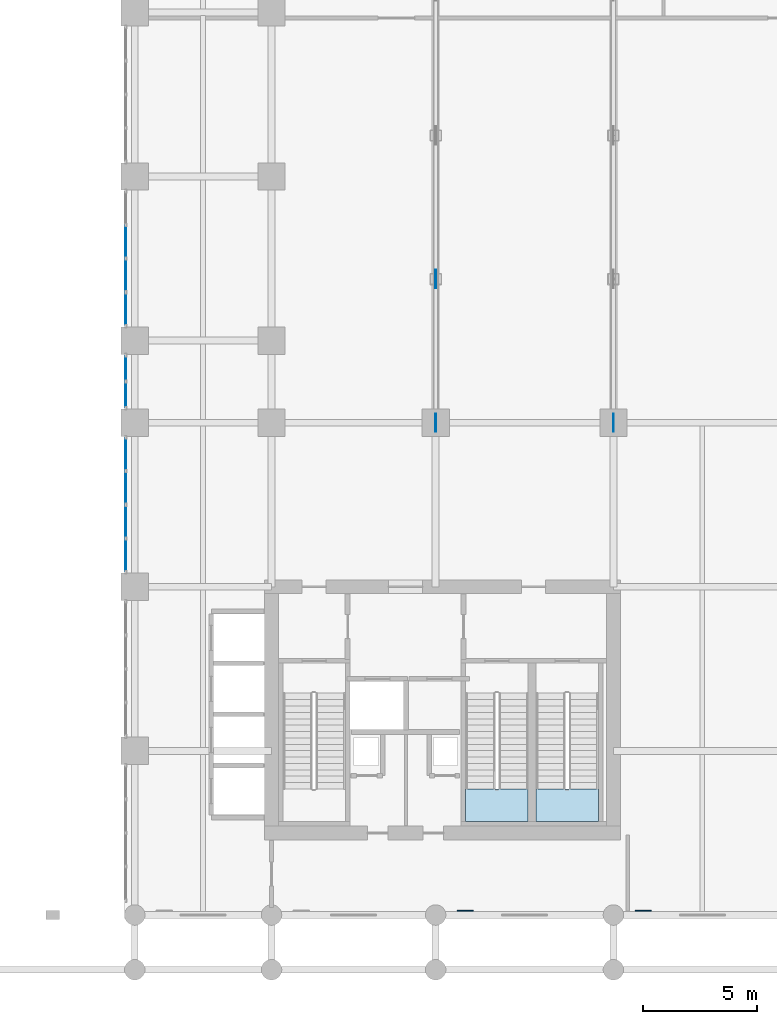
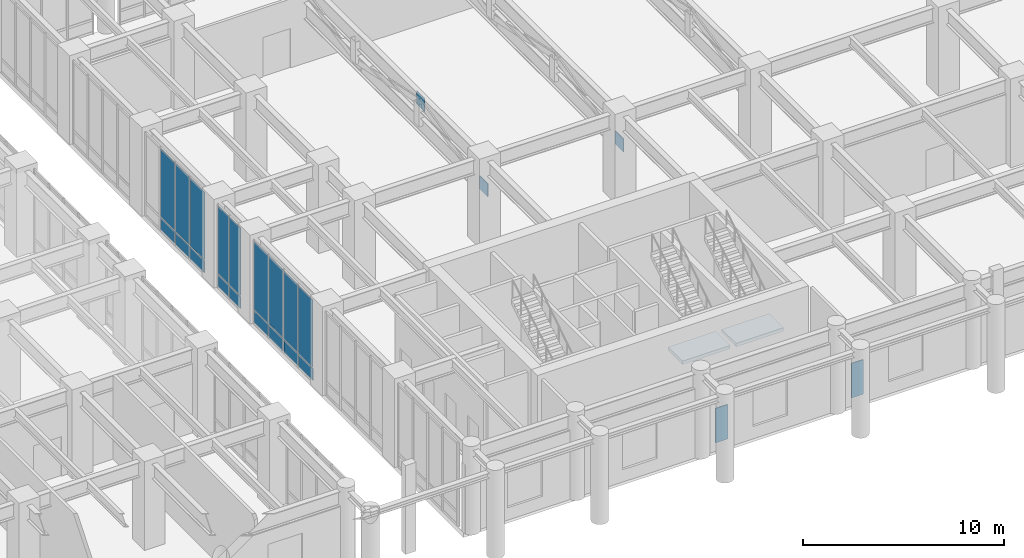
# One storey, part 12 of 24: 23 plates, 2 slabs, 5 elements without a shape of their own.
"""IFC4 building model written with IfcOpenShell, lengths in metres."""

from ifc_helpers import new_model, si_unit, derived_unit, direction, frame, origin, origin_2d, place, context, subcontext, project, spatial, polyline, rectangle, outline, extrude, source, transform, mapped, material, layer, layer_set, type_object, type_shapes, element, aggregate, save


model = new_model("IFC4")

# Units and contexts
model_context = context("Model", 3, precision=1e-05, world=origin(), true_north=direction((0.0, 1.0)))
body_context = subcontext(model_context, "Body", "Model", "MODEL_VIEW")
ifc_project = project(units=[si_unit("LENGTHUNIT", "METRE"), si_unit("AREAUNIT", "SQUARE_METRE"), si_unit("VOLUMEUNIT", "CUBIC_METRE"), si_unit("PLANEANGLEUNIT", "RADIAN"), si_unit("MASSUNIT", "GRAM", prefix="KILO"), si_unit("THERMODYNAMICTEMPERATUREUNIT", "KELVIN"), si_unit("POWERUNIT", "WATT"), derived_unit("THERMALTRANSMITTANCEUNIT", [(si_unit("POWERUNIT", "WATT"), 1), (si_unit("AREAUNIT", "SQUARE_METRE"), -1), (si_unit("THERMODYNAMICTEMPERATUREUNIT", "KELVIN"), -1)])], contexts=[model_context])

# Site, building, storey
site_placement = place(None, origin())
site = spatial("IfcSite", under=ifc_project, at=site_placement, CompositionType="ELEMENT")
building_placement = place(site_placement, origin())
building = spatial("IfcBuilding", under=site, at=building_placement, Name="Zahravan Archway Hotel and Residences", CompositionType="ELEMENT")
storey_placement = place(building_placement, frame((0.0, 0.0, 10.800048828125)))
storey = spatial("IfcBuildingStorey", under=building, at=storey_placement, Name="L02", CompositionType="ELEMENT", Elevation=10.800048828125)

# Stair, slab
ifc_material_1 = material(Name="Concrete C50/60", Category="concrete")
stair_type = type_object("IfcStairType", Name="STR-CORE-1300", PredefinedType="HALF_TURN_STAIR", material=ifc_material_1)
stair_1_placement = place(storey_placement, origin())
stair_1 = element("IfcStair", 1, at=stair_1_placement, inside=storey, type_object=stair_type, Name="L02 Core A Exit Stair 2", PredefinedType="HALF_TURN_STAIR")
ifc_layer_1 = layer(ifc_material_1, 0.199951171875, Name="Concrete C50/60", Category="concrete")
ifc_layer_set_1 = layer_set([ifc_layer_1], Name="Concrete C50/60")
slab_type = type_object("IfcSlabType", Name="SLB-LND-200", PredefinedType="LANDING", material=ifc_layer_set_1)
slab_1_placement = place(storey_placement, frame((0.0, 0.0, 2.5)))
slab_1 = element("IfcSlab", 2, at=slab_1_placement, type_object=slab_type, Name="ST-A2 landing 1", PredefinedType="LANDING", context=body_context, shape_type="SweptSolid", body=[
    extrude(outline(polyline([(43.320068359375, 5.530029296875), (43.320068359375, 4.10009765625), (46.06005859375, 4.10009765625), (46.06005859375, 5.530029296875), (43.320068359375, 5.530029296875)])), origin(), (0.0, 0.0, 1.0), 0.199951171875),
])
aggregate(stair_1, [slab_1])

stair_2_placement = place(storey_placement, origin())
stair_2 = element("IfcStair", 3, at=stair_2_placement, inside=storey, type_object=stair_type, Name="L02 Core A Exit Stair 3", PredefinedType="HALF_TURN_STAIR")
slab_2_placement = place(storey_placement, frame((0.0, 0.0, 2.5)))
slab_2 = element("IfcSlab", 4, at=slab_2_placement, type_object=slab_type, Name="ST-A3 landing 1", PredefinedType="LANDING", context=body_context, shape_type="SweptSolid", body=[
    extrude(outline(polyline([(46.39990234375, 5.530029296875), (46.39990234375, 4.10009765625), (49.139892578125, 4.10009765625), (49.139892578125, 5.530029296875), (46.39990234375, 5.530029296875)])), origin(), (0.0, 0.0, 1.0), 0.199951171875),
])
aggregate(stair_2, [slab_2])

# Plates
ifc_material_2 = material(Name="Structural Steel S355J2", Category="steel")
ifc_layer_2 = layer(ifc_material_2, 0.035888671875, Name="Structural Steel S355J2", Category="steel")
ifc_layer_set_2 = layer_set([ifc_layer_2], Name="Structural Steel S355J2")
plate_type_1 = type_object("IfcPlateType", Name="PLT-GUS-ON2", PredefinedType="USERDEFINED", material=ifc_layer_set_2)
shared_shape_1 = source(origin(), body_context, "Body", "SweptSolid", [
    extrude(rectangle(XDim=0.800048828125, YDim=0.035888671875, at=origin_2d()), origin(), (0.0, 0.0, 1.0), 0.800048828125),
])
type_shapes(plate_type_1, [shared_shape_1])
for number, where, z_axis, x_axis, name in (
    (5, (42.0, 21.60009765625, 2.7998046875), (0.0, 0.0, 1.0), (0.0, 1.0, 0.0), "L02 Transfer Truss Node Gusset ON2-1-1"),
    (6, (42.0, 27.89990234375, 4.14990234375), (0.0, 0.0, 1.0), (0.0, 1.0, 0.0), "L02 Transfer Truss Node Gusset ON2-1-2"),
    (7, (49.800048828125, 21.60009765625, 2.7998046875), (0.0, 0.0, 1.0), (0.0, 1.0, 0.0), "L02 Transfer Truss Node Gusset ON2-2-1"),
):
    element("IfcPlate", number, at=place(storey_placement, frame(where, z_axis=z_axis, x_axis=x_axis)), inside=storey, type_object=plate_type_1, Name=name, ObjectType="GUSSET", PredefinedType="USERDEFINED", context=body_context, shape_type="MappedRepresentation", body=[
        mapped(shared_shape_1, transform((0.0, 0.0, 0.0), scale=1.0)),
    ])

# Curtain wall, plates
ifc_material_3 = material(Name="Bronze-Anodized Unitised Aluminium & Low-E Glass", Category="aluminium")
ifc_layer_3 = layer(ifc_material_3, 0.179931640625, Name="Bronze-Anodized Unitised Aluminium & Low-E Glass", Category="aluminium")
ifc_layer_set_3 = layer_set([ifc_layer_3], Name="Bronze-Anodized Unitised Aluminium & Low-E Glass")
curtain_wall_type = type_object("IfcCurtainWallType", Name="CW-POD-ARCH", PredefinedType="NOTDEFINED", material=ifc_layer_set_3)
curtain_wall_1_placement = place(storey_placement, origin())
curtain_wall_1 = element("IfcCurtainWall", 8, at=curtain_wall_1_placement, inside=storey, type_object=curtain_wall_type, Name="L02 Curtain Wall CW-PORTE-L02-3", PredefinedType="NOTDEFINED")
ifc_material_4 = material(Name="Insulated Terracotta Spandrel Panel", Category="masonry")
ifc_layer_4 = layer(ifc_material_4, 0.0400390625, Name="Insulated Terracotta Spandrel Panel", Category="masonry")
ifc_layer_set_4 = layer_set([ifc_layer_4], Name="Insulated Terracotta Spandrel Panel")
plate_type_2 = type_object("IfcPlateType", Name="CWP-SPN-40", PredefinedType="SHEET", material=ifc_layer_set_4)
shared_shape_2 = source(origin(), body_context, "Body", "SweptSolid", [
    extrude(rectangle(XDim=1.3974609375, YDim=0.0400390625, at=origin_2d()), origin(), (0.0, 0.0, 1.0), 0.7099609375),
])
plate_1_placement = place(storey_placement, frame((28.39990234375, 15.783935546875, 0.099853515625), z_axis=(0.0, 0.0, 1.0), x_axis=(0.0, 1.0, 0.0)))
plate_1 = element("IfcPlate", 9, at=plate_1_placement, type_object=plate_type_2, Name="CW-PORTE-L02-3 Spandrel Panel 0", PredefinedType="SHEET", context=body_context, shape_type="MappedRepresentation", body=[
    mapped(shared_shape_2, transform((0.0, 0.0, 0.0), scale=1.0)),
])
plate_2_placement = place(storey_placement, frame((28.39990234375, 17.26123046875, 0.099853515625), z_axis=(0.0, 0.0, 1.0), x_axis=(0.0, 1.0, 0.0)))
plate_2 = element("IfcPlate", 10, at=plate_2_placement, type_object=plate_type_2, Name="CW-PORTE-L02-3 Spandrel Panel 1", PredefinedType="SHEET", context=body_context, shape_type="MappedRepresentation", body=[
    mapped(shared_shape_2, transform((0.0, 0.0, 0.0), scale=1.0)),
])
plate_3_placement = place(storey_placement, frame((28.39990234375, 18.73876953125, 0.099853515625), z_axis=(0.0, 0.0, 1.0), x_axis=(0.0, 1.0, 0.0)))
plate_3 = element("IfcPlate", 11, at=plate_3_placement, type_object=plate_type_2, Name="CW-PORTE-L02-3 Spandrel Panel 2", PredefinedType="SHEET", context=body_context, shape_type="MappedRepresentation", body=[
    mapped(shared_shape_2, transform((0.0, 0.0, 0.0), scale=1.0)),
])
plate_4_placement = place(storey_placement, frame((28.39990234375, 20.216064453125, 0.099853515625), z_axis=(0.0, 0.0, 1.0), x_axis=(0.0, 1.0, 0.0)))
plate_4 = element("IfcPlate", 12, at=plate_4_placement, type_object=plate_type_2, Name="CW-PORTE-L02-3 Spandrel Panel 3", PredefinedType="SHEET", context=body_context, shape_type="MappedRepresentation", body=[
    mapped(shared_shape_2, transform((0.0, 0.0, 0.0), scale=1.0)),
])

curtain_wall_2_placement = place(storey_placement, origin())
curtain_wall_2 = element("IfcCurtainWall", 13, at=curtain_wall_2_placement, inside=storey, type_object=curtain_wall_type, Name="L02 Curtain Wall CW-PORTE-L02-5", PredefinedType="NOTDEFINED")
plate_5_placement = place(storey_placement, frame((28.39990234375, 26.583984375, 0.099853515625), z_axis=(0.0, 0.0, 1.0), x_axis=(0.0, 1.0, 0.0)))
plate_5 = element("IfcPlate", 14, at=plate_5_placement, type_object=plate_type_2, Name="CW-PORTE-L02-5 Spandrel Panel 0", PredefinedType="SHEET", context=body_context, shape_type="MappedRepresentation", body=[
    mapped(shared_shape_2, transform((0.0, 0.0, 0.0), scale=1.0)),
])
plate_6_placement = place(storey_placement, frame((28.39990234375, 28.061279296875, 0.099853515625), z_axis=(0.0, 0.0, 1.0), x_axis=(0.0, 1.0, 0.0)))
plate_6 = element("IfcPlate", 15, at=plate_6_placement, type_object=plate_type_2, Name="CW-PORTE-L02-5 Spandrel Panel 1", PredefinedType="SHEET", context=body_context, shape_type="MappedRepresentation", body=[
    mapped(shared_shape_2, transform((0.0, 0.0, 0.0), scale=1.0)),
])
plate_7_placement = place(storey_placement, frame((28.39990234375, 29.538818359375, 0.099853515625), z_axis=(0.0, 0.0, 1.0), x_axis=(0.0, 1.0, 0.0)))
plate_7 = element("IfcPlate", 16, at=plate_7_placement, type_object=plate_type_2, Name="CW-PORTE-L02-5 Spandrel Panel 2", PredefinedType="SHEET", context=body_context, shape_type="MappedRepresentation", body=[
    mapped(shared_shape_2, transform((0.0, 0.0, 0.0), scale=1.0)),
])

# Plate
ifc_material_5 = material(Name="Double-Silver Low-E Insulated Vision Glass", Category="glass")
ifc_layer_5 = layer(ifc_material_5, 0.028076171875, Name="Double-Silver Low-E Insulated Vision Glass", Category="glass")
ifc_layer_set_5 = layer_set([ifc_layer_5], Name="Double-Silver Low-E Insulated Vision Glass")
plate_type_3 = type_object("IfcPlateType", Name="CWP-GLZ-28", PredefinedType="CURTAIN_PANEL", material=ifc_layer_set_5)
shared_shape_3 = source(origin(), body_context, "Body", "SweptSolid", [
    extrude(rectangle(XDim=1.3974609375, YDim=0.028076171875, at=origin_2d()), origin(), (0.0, 0.0, 1.0), 4.110107421875),
])
plate_8_placement = place(storey_placement, frame((28.39990234375, 15.783935546875, 0.89013671875), z_axis=(0.0, 0.0, 1.0), x_axis=(0.0, 1.0, 0.0)))
plate_8 = element("IfcPlate", 17, at=plate_8_placement, type_object=plate_type_3, Name="CW-PORTE-L02-3 Low-E Vision Panel 0", PredefinedType="CURTAIN_PANEL", context=body_context, shape_type="MappedRepresentation", body=[
    mapped(shared_shape_3, transform((0.0, 0.0, 0.0), scale=1.0)),
])

plate_9_placement = place(storey_placement, frame((28.39990234375, 17.26123046875, 0.89013671875), z_axis=(0.0, 0.0, 1.0), x_axis=(0.0, 1.0, 0.0)))
plate_9 = element("IfcPlate", 18, at=plate_9_placement, type_object=plate_type_3, Name="CW-PORTE-L02-3 Low-E Vision Panel 1", PredefinedType="CURTAIN_PANEL", context=body_context, shape_type="MappedRepresentation", body=[
    mapped(shared_shape_3, transform((0.0, 0.0, 0.0), scale=1.0)),
])

plate_10_placement = place(storey_placement, frame((28.39990234375, 18.73876953125, 0.89013671875), z_axis=(0.0, 0.0, 1.0), x_axis=(0.0, 1.0, 0.0)))
plate_10 = element("IfcPlate", 19, at=plate_10_placement, type_object=plate_type_3, Name="CW-PORTE-L02-3 Low-E Vision Panel 2", PredefinedType="CURTAIN_PANEL", context=body_context, shape_type="MappedRepresentation", body=[
    mapped(shared_shape_3, transform((0.0, 0.0, 0.0), scale=1.0)),
])

plate_11_placement = place(storey_placement, frame((28.39990234375, 20.216064453125, 0.89013671875), z_axis=(0.0, 0.0, 1.0), x_axis=(0.0, 1.0, 0.0)))
plate_11 = element("IfcPlate", 20, at=plate_11_placement, type_object=plate_type_3, Name="CW-PORTE-L02-3 Low-E Vision Panel 3", PredefinedType="CURTAIN_PANEL", context=body_context, shape_type="MappedRepresentation", body=[
    mapped(shared_shape_3, transform((0.0, 0.0, 0.0), scale=1.0)),
])

aggregate(curtain_wall_1, [plate_1, plate_8, plate_2, plate_9, plate_3, plate_10, plate_4, plate_11])

plate_12_placement = place(storey_placement, frame((28.39990234375, 26.583984375, 0.89013671875), z_axis=(0.0, 0.0, 1.0), x_axis=(0.0, 1.0, 0.0)))
plate_12 = element("IfcPlate", 21, at=plate_12_placement, type_object=plate_type_3, Name="CW-PORTE-L02-5 Low-E Vision Panel 0", PredefinedType="CURTAIN_PANEL", context=body_context, shape_type="MappedRepresentation", body=[
    mapped(shared_shape_3, transform((0.0, 0.0, 0.0), scale=1.0)),
])

plate_13_placement = place(storey_placement, frame((28.39990234375, 28.061279296875, 0.89013671875), z_axis=(0.0, 0.0, 1.0), x_axis=(0.0, 1.0, 0.0)))
plate_13 = element("IfcPlate", 22, at=plate_13_placement, type_object=plate_type_3, Name="CW-PORTE-L02-5 Low-E Vision Panel 1", PredefinedType="CURTAIN_PANEL", context=body_context, shape_type="MappedRepresentation", body=[
    mapped(shared_shape_3, transform((0.0, 0.0, 0.0), scale=1.0)),
])

plate_14_placement = place(storey_placement, frame((28.39990234375, 29.538818359375, 0.89013671875), z_axis=(0.0, 0.0, 1.0), x_axis=(0.0, 1.0, 0.0)))
plate_14 = element("IfcPlate", 23, at=plate_14_placement, type_object=plate_type_3, Name="CW-PORTE-L02-5 Low-E Vision Panel 2", PredefinedType="CURTAIN_PANEL", context=body_context, shape_type="MappedRepresentation", body=[
    mapped(shared_shape_3, transform((0.0, 0.0, 0.0), scale=1.0)),
])

aggregate(curtain_wall_2, [plate_5, plate_12, plate_6, plate_13, plate_7, plate_14])

# Curtain wall, plates
curtain_wall_3_placement = place(storey_placement, origin())
curtain_wall_3 = element("IfcCurtainWall", 24, at=curtain_wall_3_placement, inside=storey, type_object=curtain_wall_type, Name="L02 Curtain Wall CW-PORTE-L02-4", PredefinedType="NOTDEFINED")
shared_shape_4 = source(origin(), body_context, "Body", "SweptSolid", [
    extrude(rectangle(XDim=1.07470703125, YDim=0.0400390625, at=origin_2d()), origin(), (0.0, 0.0, 1.0), 0.7099609375),
])
plate_15_placement = place(storey_placement, frame((28.39990234375, 22.822509765625, 0.099853515625), z_axis=(0.0, 0.0, 1.0), x_axis=(0.0, 1.0, 0.0)))
plate_15 = element("IfcPlate", 25, at=plate_15_placement, type_object=plate_type_2, Name="CW-PORTE-L02-4 Spandrel Panel 0", PredefinedType="SHEET", context=body_context, shape_type="MappedRepresentation", body=[
    mapped(shared_shape_4, transform((0.0, 0.0, 0.0), scale=1.0)),
])
plate_16_placement = place(storey_placement, frame((28.39990234375, 23.977294921875, 0.099853515625), z_axis=(0.0, 0.0, 1.0), x_axis=(0.0, 1.0, 0.0)))
plate_16 = element("IfcPlate", 26, at=plate_16_placement, type_object=plate_type_2, Name="CW-PORTE-L02-4 Spandrel Panel 1", PredefinedType="SHEET", context=body_context, shape_type="MappedRepresentation", body=[
    mapped(shared_shape_4, transform((0.0, 0.0, 0.0), scale=1.0)),
])
shared_shape_5 = source(origin(), body_context, "Body", "SweptSolid", [
    extrude(rectangle(XDim=1.07470703125, YDim=0.028076171875, at=origin_2d()), origin(), (0.0, 0.0, 1.0), 4.110107421875),
])
plate_17_placement = place(storey_placement, frame((28.39990234375, 22.822509765625, 0.89013671875), z_axis=(0.0, 0.0, 1.0), x_axis=(0.0, 1.0, 0.0)))
plate_17 = element("IfcPlate", 27, at=plate_17_placement, type_object=plate_type_3, Name="CW-PORTE-L02-4 Low-E Vision Panel 0", PredefinedType="CURTAIN_PANEL", context=body_context, shape_type="MappedRepresentation", body=[
    mapped(shared_shape_5, transform((0.0, 0.0, 0.0), scale=1.0)),
])
plate_18_placement = place(storey_placement, frame((28.39990234375, 23.977294921875, 0.89013671875), z_axis=(0.0, 0.0, 1.0), x_axis=(0.0, 1.0, 0.0)))
plate_18 = element("IfcPlate", 28, at=plate_18_placement, type_object=plate_type_3, Name="CW-PORTE-L02-4 Low-E Vision Panel 1", PredefinedType="CURTAIN_PANEL", context=body_context, shape_type="MappedRepresentation", body=[
    mapped(shared_shape_5, transform((0.0, 0.0, 0.0), scale=1.0)),
])
aggregate(curtain_wall_3, [plate_15, plate_17, plate_16, plate_18])

# Plates
ifc_material_6 = material(Name="Perforated Cast Bronze Jali Lattice")
ifc_layer_6 = layer(ifc_material_6, 0.044921875, Name="Perforated Cast Bronze Jali Lattice")
ifc_layer_set_6 = layer_set([ifc_layer_6], Name="Perforated Cast Bronze Jali Lattice")
plate_type_4 = type_object("IfcPlateType", Name="PLT-JALI-BAY", PredefinedType="USERDEFINED", material=ifc_layer_set_6)
shared_shape_6 = source(origin(), body_context, "Body", "SweptSolid", [
    extrude(rectangle(XDim=0.699951171875, YDim=0.044921875, at=origin_2d()), origin(), (0.0, 0.0, 1.0), 2.10009765625),
])
type_shapes(plate_type_4, [shared_shape_6])
for number, where, z_axis, x_axis, name in (
    (29, (43.300048828125, 0.177978515625, 0.25), (0.0, 0.0, 1.0), (1.0, 0.0, 0.0), "L02 Podium Mughal Jali Pier Screen 05"),
    (30, (51.10009765625, 0.177978515625, 0.25), (0.0, 0.0, 1.0), (1.0, 0.0, 0.0), "L02 Podium Mughal Jali Pier Screen 06"),
):
    element("IfcPlate", number, at=place(storey_placement, frame(where, z_axis=z_axis, x_axis=x_axis)), inside=storey, type_object=plate_type_4, Name=name, ObjectType="SCREEN", PredefinedType="USERDEFINED", context=body_context, shape_type="MappedRepresentation", body=[
        mapped(shared_shape_6, transform((0.0, 0.0, 0.0), scale=1.0)),
    ])

save(model, "model.ifc")
